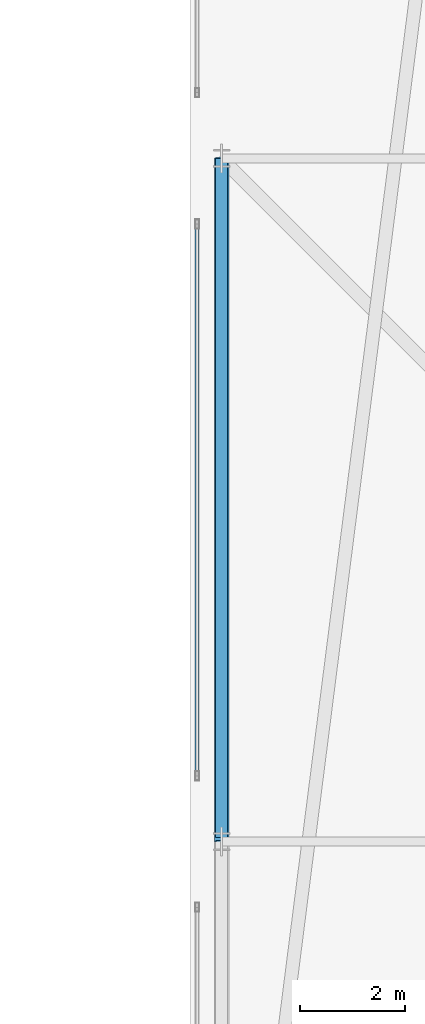
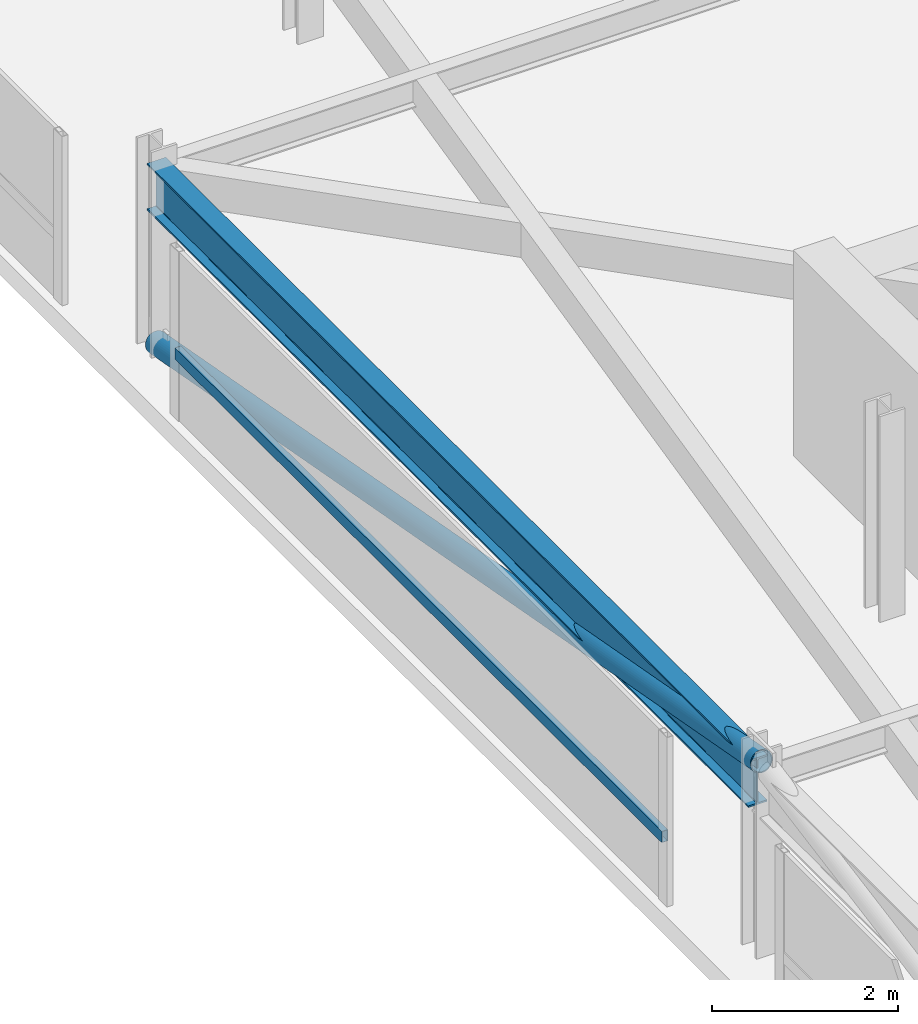
# One storey, part 21 of 42: 2 members, 1 beam, 1 element without a shape of its own.
"""IFC4 building model written with IfcOpenShell, lengths in metres."""

from ifc_helpers import new_model, si_unit, direction, frame, origin, origin_2d, place, context, subcontext, project, spatial, hollow_rectangle, hollow_circle, i_section, extrude, material, material_profile, profile_set, type_object, element, aggregate, save


model = new_model("IFC4")

# Units and contexts
model_context = context("Model", 3, precision=1e-05, world=origin(), true_north=direction((0.0, 1.0)))
body_context = subcontext(model_context, "Body", "Model", "MODEL_VIEW")
ifc_project = project(units=[si_unit("LENGTHUNIT", "METRE"), si_unit("AREAUNIT", "SQUARE_METRE"), si_unit("VOLUMEUNIT", "CUBIC_METRE"), si_unit("PLANEANGLEUNIT", "RADIAN"), si_unit("MASSUNIT", "GRAM", prefix="KILO")], contexts=[model_context])

# Site, building, storey
site_placement = place(None, origin())
site = spatial("IfcSite", under=ifc_project, at=site_placement, CompositionType="ELEMENT")
building_placement = place(site_placement, origin())
building = spatial("IfcBuilding", under=site, at=building_placement, Name="Thornwick Lancets Civic Towers", CompositionType="ELEMENT")
storey_placement = place(building_placement, frame((0.0, 0.0, 286.800048828125)))
storey = spatial("IfcBuildingStorey", under=building, at=storey_placement, Name="C03", CompositionType="ELEMENT", Elevation=286.800048828125)

# Beam
ifc_material_1 = material(Name="Steel S355JR", Category="steel")
ifc_material_profile_1 = material_profile(ifc_material_1, i_section(OverallWidth=0.230224609375, OverallDepth=0.6171875, WebThickness=0.01318359375, FlangeThickness=0.022216796875, FilletRadius=0.0126953125, at=origin_2d()), Name="UKB 610x229x140")
ifc_profile_set_1 = profile_set([ifc_material_profile_1], Name="Steel S355JR")
beam_type = type_object("IfcBeamType", Name="BM_GIRD_610_140", PredefinedType="BEAM", material=ifc_profile_set_1)
beam_placement = place(storey_placement, frame((71.199951171875, 27.080078125, 2.13134765625), z_axis=(0.0, 1.0, 0.0), x_axis=(-1.0, 0.0, 0.0)))
element("IfcBeam", 1, at=beam_placement, inside=storey, type_object=beam_type, Name="BM-SPINE-C03-B-7-8", PredefinedType="BEAM", context=body_context, shape_type="SweptSolid", body=[
    extrude(i_section(OverallWidth=0.230224609375, OverallDepth=0.6171875, WebThickness=0.01318359375, FlangeThickness=0.022216796875, FilletRadius=0.0126953125, at=origin_2d()), origin(), (0.0, 0.0, 1.0), 12.919921875),
])

# Curtain wall, member
ifc_material_2 = material(Name="Crown ring acoustic-louvre and glazing screen wall", Category="glass")
curtain_wall_type = type_object("IfcCurtainWallType", Name="CW_SYS_07", PredefinedType="NOTDEFINED", material=ifc_material_2)
curtain_wall_placement = place(storey_placement, origin())
curtain_wall = element("IfcCurtainWall", 2, at=curtain_wall_placement, inside=storey, type_object=curtain_wall_type, Name="C03 Curtain Wall CW-C03-B-E6-S2", PredefinedType="NOTDEFINED")
ifc_material_3 = material(Name="Thermally broken bronze aluminium S355", Category="steel")
ifc_material_profile_2 = material_profile(ifc_material_3, hollow_rectangle(XDim=0.074951171875, YDim=0.14990234375, WallThickness=0.0048828125, at=origin_2d()), Name="RHS 150x75x5")
ifc_profile_set_2 = profile_set([ifc_material_profile_2], Name="Thermally broken bronze aluminium S355")
member_type_1 = type_object("IfcMemberType", Name="CW_TRN_150", PredefinedType="USERDEFINED", material=ifc_profile_set_2)
member_1_placement = place(storey_placement, frame((70.7353515625, 38.72998046875, 0.849853515625), z_axis=(0.0, -1.0, 0.0), x_axis=(1.0, 0.0, 0.0)))
member_1 = element("IfcMember", 3, at=member_1_placement, type_object=member_type_1, Name="CW-C03-B-E6-S2 Transom 0", ObjectType="TRANSOM", PredefinedType="USERDEFINED", context=body_context, shape_type="SweptSolid", body=[
    extrude(hollow_rectangle(XDim=0.074951171875, YDim=0.14990234375, WallThickness=0.0048828125, at=origin_2d()), origin(), (0.0, 0.0, 1.0), 10.4599609375),
])
aggregate(curtain_wall, [member_1])

# Member
ifc_material_profile_3 = material_profile(ifc_material_1, hollow_circle(Radius=0.136474609375, WallThickness=0.012451171875, at=origin_2d()), Name="CHS 273x12.5")
ifc_profile_set_3 = profile_set([ifc_material_profile_3], Name="Steel S355JR")
member_type_2 = type_object("IfcMemberType", Name="MEM_CROWN_CHS273", PredefinedType="BRACE", material=ifc_profile_set_3)
member_2_placement = place(storey_placement, frame((71.199951171875, 40.0, 0.050048828125), z_axis=(0.0, -0.98351842104, 0.180807951915), x_axis=(1.0, 0.0, 0.0)))
element("IfcMember", 4, at=member_2_placement, inside=storey, type_object=member_type_2, Name="C03 Crown Ring Lancet Rib B-S2-R", PredefinedType="BRACE", context=body_context, shape_type="SweptSolid", body=[
    extrude(hollow_circle(Radius=0.136474609375, WallThickness=0.012451171875, at=origin_2d()), origin(), (0.0, 0.0, 1.0), 13.2177734375),
])

save(model, "model.ifc")
